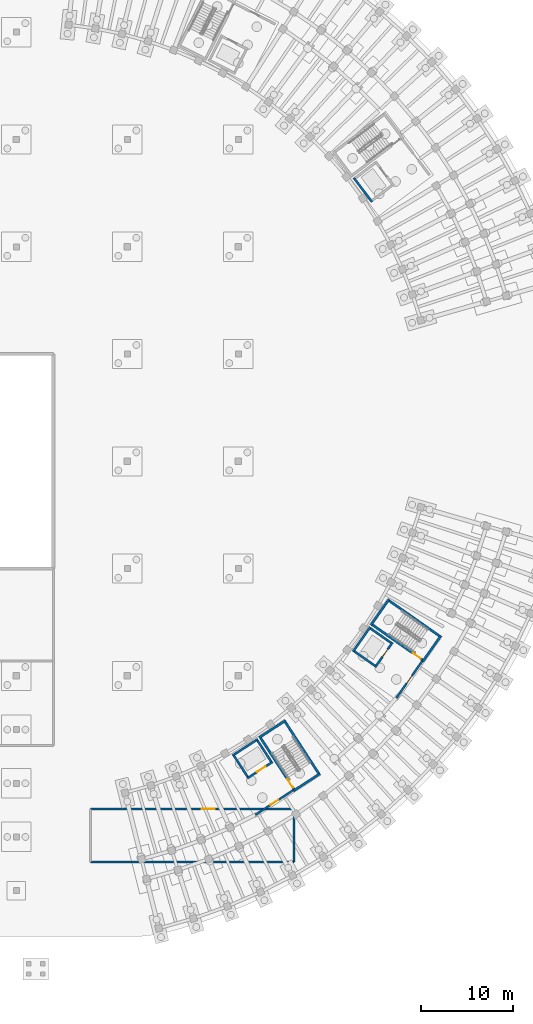
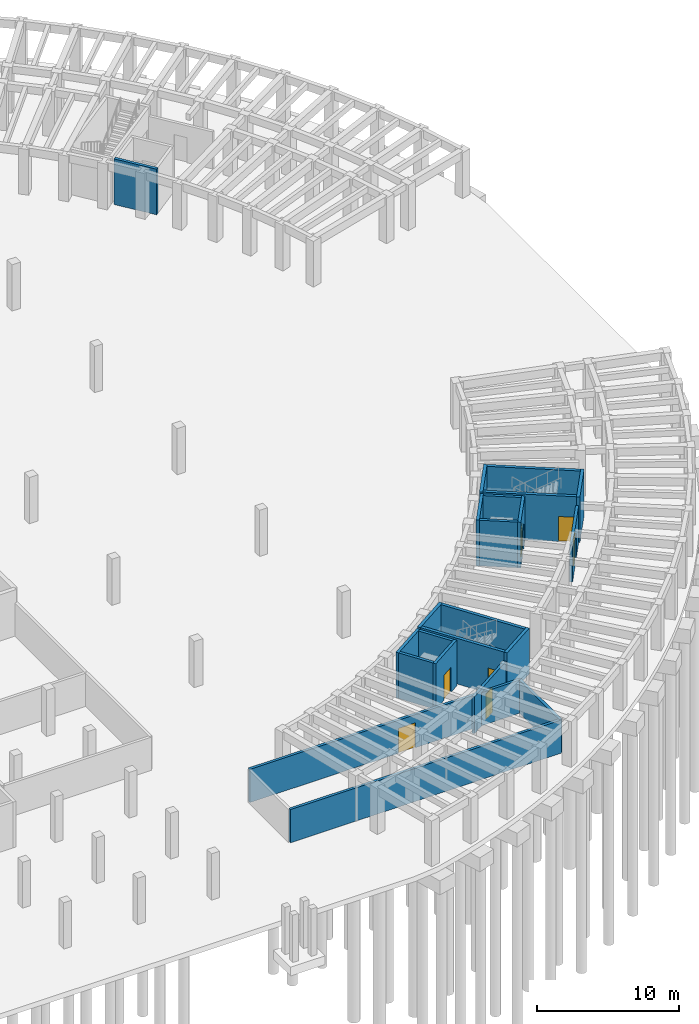
# One storey, part 22 of 29: 22 walls, 7 doors, 7 openings.
"""IFC4 building model written with IfcOpenShell, lengths in metres."""

from ifc_helpers import new_model, si_unit, direction, frame, frame_2d, origin, place, context, subcontext, project, spatial, rectangle, extrude, material, layer, layer_set, type_object, element, fill, save


model = new_model("IFC4")

# Units and contexts
model_context = context("Model", 3, precision=1e-05, world=origin(), true_north=direction((0.0, 1.0)))
body_context = subcontext(model_context, "Body", "Model", "MODEL_VIEW")
ifc_project = project(units=[si_unit("LENGTHUNIT", "METRE"), si_unit("AREAUNIT", "SQUARE_METRE"), si_unit("VOLUMEUNIT", "CUBIC_METRE"), si_unit("PLANEANGLEUNIT", "RADIAN"), si_unit("MASSUNIT", "GRAM", prefix="KILO")], contexts=[model_context])

# Site, building, storey
site_placement = place(None, origin())
site = spatial("IfcSite", under=ifc_project, at=site_placement, CompositionType="ELEMENT")
building_placement = place(site_placement, origin())
building = spatial("IfcBuilding", under=site, at=building_placement, Name="Tanwirah Colonnade Gardens", CompositionType="ELEMENT")
storey_placement = place(building_placement, frame((0.0, 0.0, -4.199951171875)))
storey = spatial("IfcBuildingStorey", under=building, at=storey_placement, Name="B1", CompositionType="ELEMENT", Elevation=-4.199951171875)

# Wall, opening, door
ifc_material_1 = material(Name="Autoclaved aerated masonry blockwork", Category="masonry")
ifc_layer_1 = layer(ifc_material_1, 0.219970703125)
ifc_layer_set_1 = layer_set([ifc_layer_1], Name="Autoclaved aerated masonry blockwork")
wall_type_1 = type_object("IfcWallType", Name="IW-FFL220", PredefinedType="PARTITIONING", material=ifc_layer_set_1)
wall_1_placement = place(storey_placement, frame((149.95458984375, 21.658203125, 0.0), z_axis=(0.0, 0.0, 1.0), x_axis=(-0.838681446513, -0.544622283124, 0.0)))
wall_1 = element("IfcWall", 1, at=wall_1_placement, inside=storey, type_object=wall_type_1, Name="CORE-D1 B1 Enclosed Lobby Fire Wall", PredefinedType="PARTITIONING", context=body_context, shape_type="SweptSolid", body=[
    extrude(rectangle(XDim=4.900146484375, YDim=0.219970703125, at=frame_2d((2.4501953125, 0.0))), origin(), (0.0, 0.0, 1.0), 3.179931640625),
])
opening_1_placement = place(wall_1_placement, frame((1.949951171875, 0.0, 0.0)))
opening_1 = element("IfcOpeningElement", 2, at=opening_1_placement, cuts=wall_1, Name="Opening B1-LD179", PredefinedType="OPENING", context=body_context, shape_type="SweptSolid", body=[
    extrude(rectangle(XDim=1.0, YDim=2.14990234375, at=frame_2d((0.5, 1.074951171875))), frame((0.0, 0.119873046875, 0.0), z_axis=(0.0, -1.0, 0.0), x_axis=(1.0, 0.0, 0.0)), (0.0, 0.0, 1.0), 0.239990234375),
])
ifc_material_2 = material(Name="Acoustic fire-resisting lobby door")
door_type_1 = type_object("IfcDoorType", Name="ID-FFL100", OperationType="NOTDEFINED", PredefinedType="DOOR", material=ifc_material_2)
door_1_placement = place(opening_1_placement, origin())
door_1 = element("IfcDoor", 3, at=door_1_placement, inside=storey, type_object=door_type_1, Name="CORE-D1 B1 Lobby Fire Door B1-LD179", OperationType="SINGLE_SWING_RIGHT", OverallHeight=2.14990234375, OverallWidth=1.0, PredefinedType="DOOR", context=body_context, shape_type="SweptSolid", body=[
    extrude(rectangle(XDim=1.0, YDim=2.14990234375, at=frame_2d((0.5, 1.074951171875))), frame((0.0, 0.02490234375, 0.0), z_axis=(0.0, -1.0, 0.0), x_axis=(1.0, 0.0, 0.0)), (0.0, 0.0, 1.0), 0.050048828125),
])
fill(opening_1, door_1)

wall_2_placement = place(storey_placement, frame((163.89501953125, 35.624267578125, 0.0), z_axis=(0.0, 0.0, 1.0), x_axis=(-0.573572687386, -0.819154669329, 0.0)))
wall_2 = element("IfcWall", 4, at=wall_2_placement, inside=storey, type_object=wall_type_1, Name="CORE-D2 B1 Enclosed Lobby Fire Wall", PredefinedType="PARTITIONING", context=body_context, shape_type="SweptSolid", body=[
    extrude(rectangle(XDim=4.900146484375, YDim=0.219970703125, at=frame_2d((2.4501953125, 0.0))), origin(), (0.0, 0.0, 1.0), 3.179931640625),
])
opening_2_placement = place(wall_2_placement, frame((1.949951171875, 0.0, 0.0)))
opening_2 = element("IfcOpeningElement", 5, at=opening_2_placement, cuts=wall_2, Name="Opening B1-LD199", PredefinedType="OPENING", context=body_context, shape_type="SweptSolid", body=[
    extrude(rectangle(XDim=0.97998046875, YDim=2.139892578125, at=frame_2d((0.489990234375, 1.06982421875))), frame((0.0, 0.119873046875, 0.0), z_axis=(0.0, -1.0, 0.0), x_axis=(1.0, 0.0, 0.0)), (0.0, 0.0, 1.0), 0.239990234375),
])
door_type_2 = type_object("IfcDoorType", Name="ID-FFL098", OperationType="NOTDEFINED", PredefinedType="DOOR", material=ifc_material_2)
door_2_placement = place(opening_2_placement, origin())
door_2 = element("IfcDoor", 6, at=door_2_placement, inside=storey, type_object=door_type_2, Name="CORE-D2 B1 Lobby Fire Door B1-LD199", OperationType="SINGLE_SWING_RIGHT", OverallHeight=2.139892578125, OverallWidth=0.97998046875, PredefinedType="DOOR", context=body_context, shape_type="SweptSolid", body=[
    extrude(rectangle(XDim=0.97998046875, YDim=2.139892578125, at=frame_2d((0.489990234375, 1.06982421875))), frame((0.0, 0.02490234375, 0.0), z_axis=(0.0, -1.0, 0.0), x_axis=(1.0, 0.0, 0.0)), (0.0, 0.0, 1.0), 0.050048828125),
])
fill(opening_2, door_2)

wall_3_placement = place(storey_placement, frame((128.0, 19.60009765625, 0.0), z_axis=(0.0, 0.0, 1.0), x_axis=(1.0, 0.0, 0.0)))
wall_3 = element("IfcWall", 7, at=wall_3_placement, inside=storey, type_object=wall_type_1, Name="Interior Partition IW-B1-STR2-N", PredefinedType="PARTITIONING", context=body_context, shape_type="SweptSolid", body=[
    extrude(rectangle(XDim=22.0, YDim=0.219970703125, at=frame_2d((11.0, 0.0))), origin(), (0.0, 0.0, 1.0), 2.849853515625),
])
opening_3_placement = place(wall_3_placement, frame((12.06005859375, 0.0, 0.0)))
opening_3 = element("IfcOpeningElement", 8, at=opening_3_placement, cuts=wall_3, Name="Opening B1-VD1977", PredefinedType="OPENING", context=body_context, shape_type="SweptSolid", body=[
    extrude(rectangle(XDim=1.39990234375, YDim=2.14990234375, at=frame_2d((0.699951171875, 1.074951171875))), frame((0.0, 0.119873046875, 0.0), z_axis=(0.0, -1.0, 0.0), x_axis=(1.0, 0.0, 0.0)), (0.0, 0.0, 1.0), 0.239990234375),
])
ifc_material_3 = material(Name="Steel basement service double fire door", Category="steel")
door_type_3 = type_object("IfcDoorType", Name="ID-B1D14", OperationType="DOUBLE_DOOR_SINGLE_SWING", PredefinedType="DOOR", material=ifc_material_3)
door_3_placement = place(opening_3_placement, origin())
door_3 = element("IfcDoor", 9, at=door_3_placement, inside=storey, type_object=door_type_3, Name="Civic interior door B1-VD1977", OperationType="DOUBLE_DOOR_SINGLE_SWING", OverallHeight=2.14990234375, OverallWidth=1.39990234375, PredefinedType="DOOR", context=body_context, shape_type="SweptSolid", body=[
    extrude(rectangle(XDim=1.39990234375, YDim=2.14990234375, at=frame_2d((0.699951171875, 1.074951171875))), frame((0.0, 0.02490234375, 0.0), z_axis=(0.0, -1.0, 0.0), x_axis=(1.0, 0.0, 0.0)), (0.0, 0.0, 1.0), 0.050048828125),
])
fill(opening_3, door_3)

# Walls
wall_4_placement = place(storey_placement, frame((128.0, 13.89990234375, 0.0), z_axis=(0.0, 0.0, 1.0), x_axis=(1.0, 0.0, 0.0)))
element("IfcWall", 10, at=wall_4_placement, inside=storey, type_object=wall_type_1, Name="Interior Partition IW-B1-STR2-S", PredefinedType="PARTITIONING", context=body_context, shape_type="SweptSolid", body=[
    extrude(rectangle(XDim=22.0, YDim=0.219970703125, at=frame_2d((11.0, 0.0))), origin(), (0.0, 0.0, 1.0), 2.849853515625),
])
wall_5_placement = place(storey_placement, frame((150.0, 13.89990234375, 0.0), z_axis=(0.0, 0.0, 1.0), x_axis=(0.0, 1.0, 0.0)))
element("IfcWall", 11, at=wall_5_placement, inside=storey, type_object=wall_type_1, Name="Interior Partition IW-B1-STR2-E", PredefinedType="PARTITIONING", context=body_context, shape_type="SweptSolid", body=[
    extrude(rectangle(XDim=5.7001953125, YDim=0.219970703125, at=frame_2d((2.85009765625, 0.0))), origin(), (0.0, 0.0, 1.0), 2.849853515625),
])
ifc_material_4 = material(Name="Concrete C45/55", Category="concrete")
ifc_layer_2 = layer(ifc_material_4, 0.25)
ifc_layer_set_2 = layer_set([ifc_layer_2], Name="Concrete C45/55")
wall_type_2 = type_object("IfcWallType", Name="SW-CORE250", PredefinedType="SHEAR", material=ifc_layer_set_2)
wall_6_placement = place(storey_placement, frame((152.674072265625, 23.48388671875, 0.0), z_axis=(0.0, 0.0, 1.0), x_axis=(-0.544655453679, 0.838659905312, 0.0)))
element("IfcWall", 12, at=wall_6_placement, inside=storey, type_object=wall_type_2, Name="CORE-D1 B1 Stair Shaft Shear Wall LEFT", PredefinedType="SHEAR", context=body_context, shape_type="SweptSolid", body=[
    extrude(rectangle(XDim=6.60009765625, YDim=0.25, at=frame_2d((3.300048828125, 0.0))), origin(), (0.0, 0.0, 1.0), 3.919921875),
])
wall_7_placement = place(storey_placement, frame((149.1162109375, 29.19189453125, 0.0), z_axis=(0.0, 0.0, 1.0), x_axis=(-0.838699580527, -0.544594356953, 0.0)))
element("IfcWall", 13, at=wall_7_placement, inside=storey, type_object=wall_type_2, Name="CORE-D1 B1 Stair Shaft Shear Wall FAR", PredefinedType="SHEAR", context=body_context, shape_type="SweptSolid", body=[
    extrude(rectangle(XDim=3.420166015625, YDim=0.25, at=frame_2d((1.7099609375, 0.0))), origin(), (0.0, 0.0, 1.0), 3.919921875),
])
wall_8_placement = place(storey_placement, frame((152.846923828125, 23.447021484375, 0.0), z_axis=(0.0, 0.0, 1.0), x_axis=(-0.838645798734, -0.544677174357, 0.0)))
element("IfcWall", 14, at=wall_8_placement, inside=storey, type_object=wall_type_2, Name="CORE-D1 B1 Stair Shaft Shear Wall NEAR", PredefinedType="SHEAR", context=body_context, shape_type="SweptSolid", body=[
    extrude(rectangle(XDim=3.419921875, YDim=0.25, at=frame_2d((1.7099609375, 0.0))), origin(), (0.0, 0.0, 1.0), 3.919921875),
])

# Wall, opening, door
wall_9_placement = place(storey_placement, frame((150.015380859375, 21.75732421875, 0.0), z_axis=(0.0, 0.0, 1.0), x_axis=(-0.544629435258, 0.838676802022, 0.0)))
wall_9 = element("IfcWall", 15, at=wall_9_placement, inside=storey, type_object=wall_type_2, Name="CORE-D1 B1 Stair Shaft Shear Wall RIGHT", PredefinedType="SHEAR", context=body_context, shape_type="SweptSolid", body=[
    extrude(rectangle(XDim=6.599853515625, YDim=0.25, at=frame_2d((3.2998046875, 0.0))), origin(), (0.0, 0.0, 1.0), 3.919921875),
])
opening_4_placement = place(wall_9_placement, frame((0.219970703125, 0.0, 0.0)))
opening_4 = element("IfcOpeningElement", 16, at=opening_4_placement, cuts=wall_9, Name="Opening B1-SD169", PredefinedType="OPENING", context=body_context, shape_type="SweptSolid", body=[
    extrude(rectangle(XDim=1.050048828125, YDim=2.14990234375, at=frame_2d((0.52490234375, 1.074951171875))), frame((0.0, 0.135009765625, 0.0), z_axis=(0.0, -1.0, 0.0), x_axis=(1.0, 0.0, 0.0)), (0.0, 0.0, 1.0), 0.27001953125),
])
ifc_material_5 = material(Name="Steel fire-resisting stair enclosure door", Category="steel")
door_type_4 = type_object("IfcDoorType", Name="ID-ST105", OperationType="NOTDEFINED", PredefinedType="DOOR", material=ifc_material_5)
door_4_placement = place(opening_4_placement, origin())
door_4 = element("IfcDoor", 17, at=door_4_placement, inside=storey, type_object=door_type_4, Name="CORE-D1 B1 Stair Fire Door B1-SD169", OperationType="SINGLE_SWING_RIGHT", OverallHeight=2.14990234375, OverallWidth=1.050048828125, PredefinedType="DOOR", context=body_context, shape_type="SweptSolid", body=[
    extrude(rectangle(XDim=1.050048828125, YDim=2.14990234375, at=frame_2d((0.52490234375, 1.074951171875))), frame((0.0, 0.02490234375, 0.0), z_axis=(0.0, -1.0, 0.0), x_axis=(1.0, 0.0, 0.0)), (0.0, 0.0, 1.0), 0.050048828125),
])
fill(opening_4, door_4)

# Walls
wall_10_placement = place(storey_placement, frame((165.732666015625, 38.335693359375, 0.0), z_axis=(0.0, 0.0, 1.0), x_axis=(-0.819153711596, 0.573574055182, 0.0)))
element("IfcWall", 18, at=wall_10_placement, inside=storey, type_object=wall_type_2, Name="CORE-D2 B1 Stair Shaft Shear Wall LEFT", PredefinedType="SHEAR", context=body_context, shape_type="SweptSolid", body=[
    extrude(rectangle(XDim=6.60009765625, YDim=0.25, at=frame_2d((3.300048828125, 0.0))), origin(), (0.0, 0.0, 1.0), 3.919921875),
])
for number, where, z_axis, x_axis, name in (
    (19, (160.29541015625, 42.29541015625, 0.0), (0.0, 0.0, 1.0), (-0.573582112484, -0.819148069789, 0.0), "CORE-D2 B1 Stair Shaft Shear Wall FAR"),
    (20, (165.90673828125, 38.366455078125, 0.0), (0.0, 0.0, 1.0), (-0.573582112484, -0.819148069789, 0.0), "CORE-D2 B1 Stair Shaft Shear Wall NEAR"),
):
    element("IfcWall", number, at=place(storey_placement, frame(where, z_axis=z_axis, x_axis=x_axis)), inside=storey, type_object=wall_type_2, Name=name, PredefinedType="SHEAR", context=body_context, shape_type="SweptSolid", body=[
        extrude(rectangle(XDim=3.419921875, YDim=0.25, at=frame_2d((1.7099609375, 0.0))), origin(), (0.0, 0.0, 1.0), 3.919921875),
    ])

# Wall, opening, door
wall_11_placement = place(storey_placement, frame((163.914306640625, 35.739013671875, 0.0), z_axis=(0.0, 0.0, 1.0), x_axis=(-0.819153711596, 0.573574055182, 0.0)))
wall_11 = element("IfcWall", 21, at=wall_11_placement, inside=storey, type_object=wall_type_2, Name="CORE-D2 B1 Stair Shaft Shear Wall RIGHT", PredefinedType="SHEAR", context=body_context, shape_type="SweptSolid", body=[
    extrude(rectangle(XDim=6.60009765625, YDim=0.25, at=frame_2d((3.300048828125, 0.0))), origin(), (0.0, 0.0, 1.0), 3.919921875),
])
opening_5_placement = place(wall_11_placement, frame((0.219970703125, 0.0, 0.0)))
opening_5 = element("IfcOpeningElement", 22, at=opening_5_placement, cuts=wall_11, Name="Opening B1-SD189", PredefinedType="OPENING", context=body_context, shape_type="SweptSolid", body=[
    extrude(rectangle(XDim=1.050048828125, YDim=2.14990234375, at=frame_2d((0.52490234375, 1.074951171875))), frame((0.0, 0.135009765625, 0.0), z_axis=(0.0, -1.0, 0.0), x_axis=(1.0, 0.0, 0.0)), (0.0, 0.0, 1.0), 0.27001953125),
])
door_5_placement = place(opening_5_placement, origin())
door_5 = element("IfcDoor", 23, at=door_5_placement, inside=storey, type_object=door_type_4, Name="CORE-D2 B1 Stair Fire Door B1-SD189", OperationType="SINGLE_SWING_RIGHT", OverallHeight=2.14990234375, OverallWidth=1.050048828125, PredefinedType="DOOR", context=body_context, shape_type="SweptSolid", body=[
    extrude(rectangle(XDim=1.050048828125, YDim=2.14990234375, at=frame_2d((0.52490234375, 1.074951171875))), frame((0.0, 0.02490234375, 0.0), z_axis=(0.0, -1.0, 0.0), x_axis=(1.0, 0.0, 0.0)), (0.0, 0.0, 1.0), 0.050048828125),
])
fill(opening_5, door_5)

# Wall
ifc_layer_3 = layer(ifc_material_4, 0.22998046875)
ifc_layer_set_3 = layer_set([ifc_layer_3], Name="Concrete C45/55")
wall_type_3 = type_object("IfcWallType", Name="SW-LIFT230", PredefinedType="SHEAR", material=ifc_layer_set_3)
wall_12_placement = place(storey_placement, frame((156.4873046875, 87.855712890625, 0.0), z_axis=(0.0, 0.0, 1.0), x_axis=(0.601819781152, -0.798631924615, 0.0)))
element("IfcWall", 24, at=wall_12_placement, inside=storey, type_object=wall_type_3, Name="CORE-B1 B1 Lift Shaft Wall BACK", PredefinedType="SHEAR", context=body_context, shape_type="SweptSolid", body=[
    extrude(rectangle(XDim=3.260009765625, YDim=0.22998046875, at=frame_2d((1.6298828125, 0.0))), origin(), (0.0, 0.0, 1.0), 3.919921875),
])

# Wall, opening, door
wall_13_placement = place(storey_placement, frame((147.70849609375, 24.712646484375, 0.0), z_axis=(0.0, 0.0, 1.0), x_axis=(-0.838672833615, -0.544635546173, 0.0)))
wall_13 = element("IfcWall", 25, at=wall_13_placement, inside=storey, type_object=wall_type_3, Name="CORE-D1 B1 Lift Shaft Wall FRONT", PredefinedType="SHEAR", context=body_context, shape_type="SweptSolid", body=[
    extrude(rectangle(XDim=3.259765625, YDim=0.22998046875, at=frame_2d((1.6298828125, 0.0))), origin(), (0.0, 0.0, 1.0), 3.919921875),
])
opening_6_placement = place(wall_13_placement, frame((0.89990234375, 0.0, 0.0)))
opening_6 = element("IfcOpeningElement", 26, at=opening_6_placement, cuts=wall_13, Name="Opening B1-LD-FL-D1", PredefinedType="OPENING", context=body_context, shape_type="SweptSolid", body=[
    extrude(rectangle(XDim=1.10009765625, YDim=2.14990234375, at=frame_2d((0.550048828125, 1.074951171875))), frame((0.0, 0.125, 0.0), z_axis=(0.0, -1.0, 0.0), x_axis=(1.0, 0.0, 0.0)), (0.0, 0.0, 1.0), 0.25),
])
ifc_material_6 = material(Name="Stainless steel sliding fire lift landing door", Category="steel")
door_type_5 = type_object("IfcDoorType", Name="LD-FF11", OperationType="DOUBLE_DOOR_SLIDING", PredefinedType="DOOR", material=ifc_material_6)
door_6_placement = place(opening_6_placement, origin())
door_6 = element("IfcDoor", 27, at=door_6_placement, inside=storey, type_object=door_type_5, Name="Lift FL-D1 B1 Sliding Landing Door", OperationType="DOUBLE_DOOR_SLIDING", OverallHeight=2.14990234375, OverallWidth=1.10009765625, PredefinedType="DOOR", context=body_context, shape_type="SweptSolid", body=[
    extrude(rectangle(XDim=1.10009765625, YDim=2.14990234375, at=frame_2d((0.550048828125, 1.074951171875))), frame((0.0, 0.02490234375, 0.0), z_axis=(0.0, -1.0, 0.0), x_axis=(1.0, 0.0, 0.0)), (0.0, 0.0, 1.0), 0.050048828125),
])
fill(opening_6, door_6)

# Walls
wall_14_placement = place(storey_placement, frame((146.11279296875, 27.169921875, 0.0), z_axis=(0.0, 0.0, 1.0), x_axis=(-0.838695047431, -0.544601338058, 0.0)))
element("IfcWall", 28, at=wall_14_placement, inside=storey, type_object=wall_type_3, Name="CORE-D1 B1 Lift Shaft Wall BACK", PredefinedType="SHEAR", context=body_context, shape_type="SweptSolid", body=[
    extrude(rectangle(XDim=3.260009765625, YDim=0.22998046875, at=frame_2d((1.6298828125, 0.0))), origin(), (0.0, 0.0, 1.0), 3.919921875),
])
for number, where, z_axis, x_axis, name in (
    (29, (147.549560546875, 24.74658203125, 0.0), (0.0, 0.0, 1.0), (-0.544622789439, 0.838681117722, 0.0), "CORE-D1 B1 Lift Shaft Wall SIDEA"),
    (30, (145.00830078125, 23.09619140625, 0.0), (0.0, 0.0, 1.0), (-0.544622789439, 0.838681117722, 0.0), "CORE-D1 B1 Lift Shaft Wall SIDEB"),
):
    element("IfcWall", number, at=place(storey_placement, frame(where, z_axis=z_axis, x_axis=x_axis)), inside=storey, type_object=wall_type_3, Name=name, PredefinedType="SHEAR", context=body_context, shape_type="SweptSolid", body=[
        extrude(rectangle(XDim=2.699951171875, YDim=0.22998046875, at=frame_2d((1.35009765625, 0.0))), origin(), (0.0, 0.0, 1.0), 3.919921875),
    ])

# Wall, opening, door
wall_15_placement = place(storey_placement, frame((160.66845703125, 37.614990234375, 0.0), z_axis=(0.0, 0.0, 1.0), x_axis=(-0.573582966431, -0.819147471839, 0.0)))
wall_15 = element("IfcWall", 31, at=wall_15_placement, inside=storey, type_object=wall_type_3, Name="CORE-D2 B1 Lift Shaft Wall FRONT", PredefinedType="SHEAR", context=body_context, shape_type="SweptSolid", body=[
    extrude(rectangle(XDim=3.260009765625, YDim=0.22998046875, at=frame_2d((1.6298828125, 0.0))), origin(), (0.0, 0.0, 1.0), 3.919921875),
])
opening_7_placement = place(wall_15_placement, frame((0.89990234375, 0.0, 0.0)))
opening_7 = element("IfcOpeningElement", 32, at=opening_7_placement, cuts=wall_15, Name="Opening B1-LD-PL-D2", PredefinedType="OPENING", context=body_context, shape_type="SweptSolid", body=[
    extrude(rectangle(XDim=1.0, YDim=2.14990234375, at=frame_2d((0.5, 1.074951171875))), frame((0.0, 0.125, 0.0), z_axis=(0.0, -1.0, 0.0), x_axis=(1.0, 0.0, 0.0)), (0.0, 0.0, 1.0), 0.25),
])
ifc_material_7 = material(Name="Bronze stainless steel sliding lift landing door", Category="steel")
door_type_6 = type_object("IfcDoorType", Name="LD-PS10", OperationType="DOUBLE_DOOR_SLIDING", PredefinedType="DOOR", material=ifc_material_7)
door_7_placement = place(opening_7_placement, origin())
door_7 = element("IfcDoor", 33, at=door_7_placement, inside=storey, type_object=door_type_6, Name="Lift PL-D2 B1 Sliding Landing Door", OperationType="DOUBLE_DOOR_SLIDING", OverallHeight=2.14990234375, OverallWidth=1.0, PredefinedType="DOOR", context=body_context, shape_type="SweptSolid", body=[
    extrude(rectangle(XDim=1.0, YDim=2.14990234375, at=frame_2d((0.5, 1.074951171875))), frame((0.0, 0.02490234375, 0.0), z_axis=(0.0, -1.0, 0.0), x_axis=(1.0, 0.0, 0.0)), (0.0, 0.0, 1.0), 0.050048828125),
])
fill(opening_7, door_7)

# Walls
wall_16_placement = place(storey_placement, frame((158.268310546875, 39.295654296875, 0.0), z_axis=(0.0, 0.0, 1.0), x_axis=(-0.573582966431, -0.819147471839, 0.0)))
element("IfcWall", 34, at=wall_16_placement, inside=storey, type_object=wall_type_3, Name="CORE-D2 B1 Lift Shaft Wall BACK", PredefinedType="SHEAR", context=body_context, shape_type="SweptSolid", body=[
    extrude(rectangle(XDim=3.260009765625, YDim=0.22998046875, at=frame_2d((1.6298828125, 0.0))), origin(), (0.0, 0.0, 1.0), 3.919921875),
])
wall_17_placement = place(storey_placement, frame((160.50830078125, 37.5869140625, 0.0), z_axis=(0.0, 0.0, 1.0), x_axis=(-0.819189439894, 0.573523026186, 0.0)))
element("IfcWall", 35, at=wall_17_placement, inside=storey, type_object=wall_type_3, Name="CORE-D2 B1 Lift Shaft Wall SIDEA", PredefinedType="SHEAR", context=body_context, shape_type="SweptSolid", body=[
    extrude(rectangle(XDim=2.7001953125, YDim=0.22998046875, at=frame_2d((1.35009765625, 0.0))), origin(), (0.0, 0.0, 1.0), 3.919921875),
])
wall_18_placement = place(storey_placement, frame((158.770263671875, 35.104736328125, 0.0), z_axis=(0.0, 0.0, 1.0), x_axis=(-0.819117209968, 0.573626181702, 0.0)))
element("IfcWall", 36, at=wall_18_placement, inside=storey, type_object=wall_type_3, Name="CORE-D2 B1 Lift Shaft Wall SIDEB", PredefinedType="SHEAR", context=body_context, shape_type="SweptSolid", body=[
    extrude(rectangle(XDim=2.699951171875, YDim=0.22998046875, at=frame_2d((1.35009765625, 0.0))), origin(), (0.0, 0.0, 1.0), 3.919921875),
])

save(model, "model.ifc")
